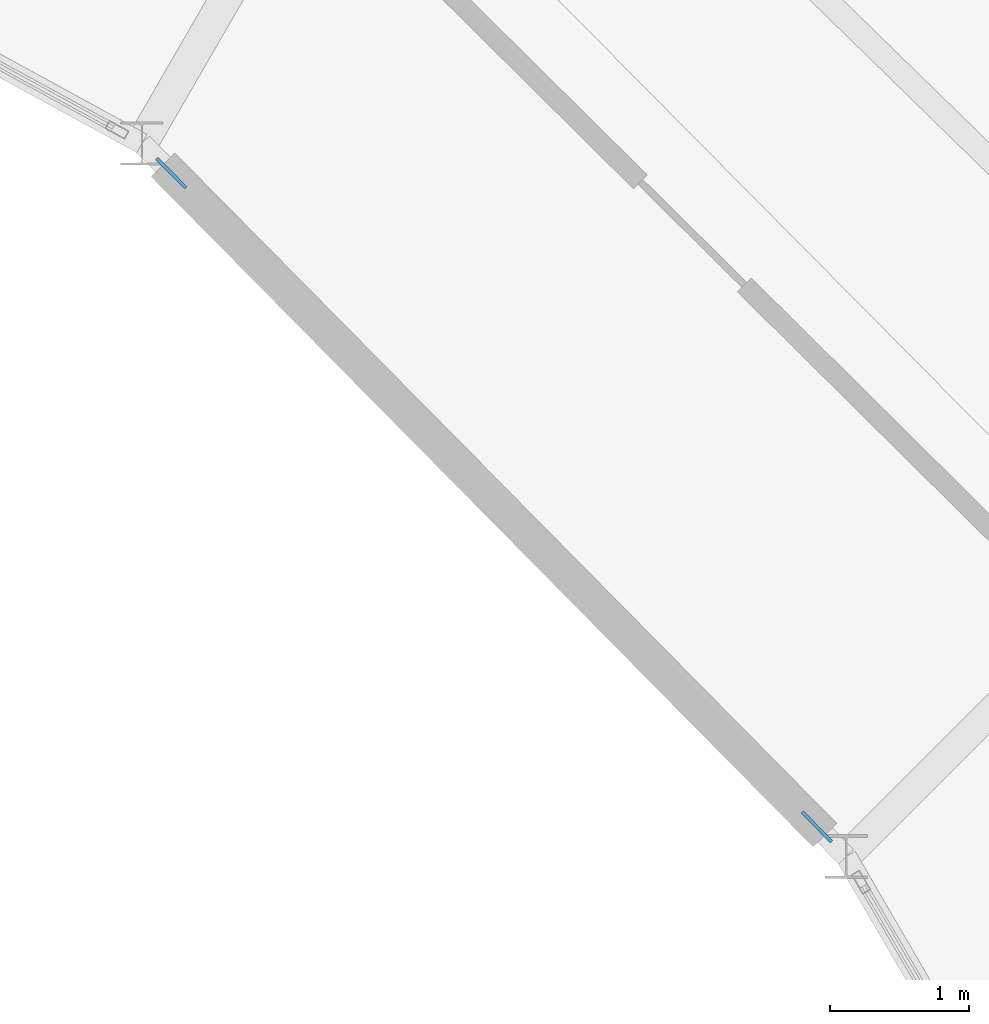
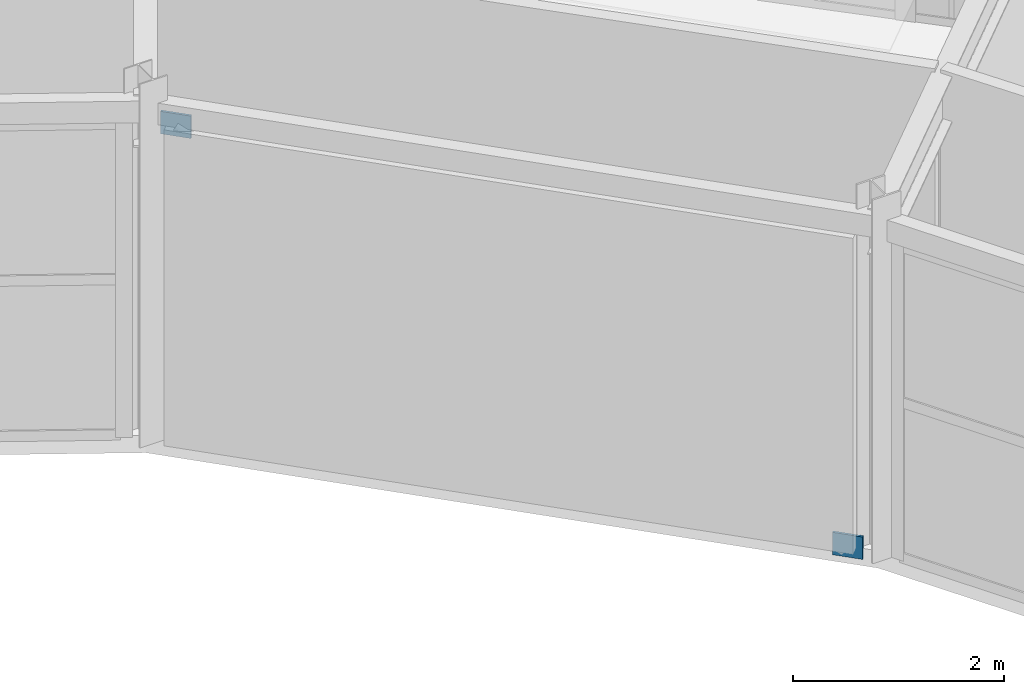
# One storey, part 119 of 148: 2 plates.
"""IFC4 building model written with IfcOpenShell, lengths in metres."""

from ifc_helpers import new_model, si_unit, direction, frame, origin, origin_2d, place, context, subcontext, project, spatial, rectangle, extrude, material, layer, layer_set, type_object, element, save


model = new_model("IFC4")

# Units and contexts
model_context = context("Model", 3, precision=1e-05, world=origin(), true_north=direction((0.0, 1.0)))
body_context = subcontext(model_context, "Body", "Model", "MODEL_VIEW")
ifc_project = project(units=[si_unit("LENGTHUNIT", "METRE"), si_unit("AREAUNIT", "SQUARE_METRE"), si_unit("VOLUMEUNIT", "CUBIC_METRE"), si_unit("PLANEANGLEUNIT", "RADIAN"), si_unit("MASSUNIT", "GRAM", prefix="KILO")], contexts=[model_context])

# Site, building, storey
site_placement = place(None, origin())
site = spatial("IfcSite", under=ifc_project, at=site_placement, CompositionType="ELEMENT")
building_placement = place(site_placement, origin())
building = spatial("IfcBuilding", under=site, at=building_placement, Name="Karori Crest Natural Sciences Institute", CompositionType="ELEMENT")
storey_placement = place(building_placement, frame((0.0, 0.0, 4.89990234375)))
storey = spatial("IfcBuildingStorey", under=building, at=storey_placement, Name="L01", CompositionType="ELEMENT", Elevation=4.89990234375)

# Plates
ifc_material = material(Name="Structural steel AS/NZS 3679.1 Grade 350", Category="steel")
ifc_layer = layer(ifc_material, 0.02490234375, Name="Structural steel AS/NZS 3679.1 Grade 350")
ifc_layer_set = layer_set([ifc_layer], Name="Structural steel AS/NZS 3679.1 Grade 350")
plate_type = type_object("IfcPlateType", Name="PLT-06", PredefinedType="SHEET", material=ifc_layer_set)
for number, where, z_axis, x_axis, name in (
    (1, (83.442626953125, 72.88232421875, -0.11962890625), (0.0, 0.0, 1.0), (-0.702663630174, 0.711522187167, 0.0), "Brace gusset plate EP-0017"),
    (2, (78.810791015625, 77.572509765625, 3.5205078125), (0.0, 0.0, 1.0), (-0.702663630174, 0.711522187167, 0.0), "Brace gusset plate EP-0018"),
):
    element("IfcPlate", number, at=place(storey_placement, frame(where, z_axis=z_axis, x_axis=x_axis)), inside=storey, type_object=plate_type, Name=name, PredefinedType="SHEET", context=body_context, shape_type="SweptSolid", body=[
        extrude(rectangle(XDim=0.299072265625, YDim=0.02490234375, at=origin_2d()), origin(), (0.0, 0.0, 1.0), 0.259033203125),
    ])

save(model, "model.ifc")
